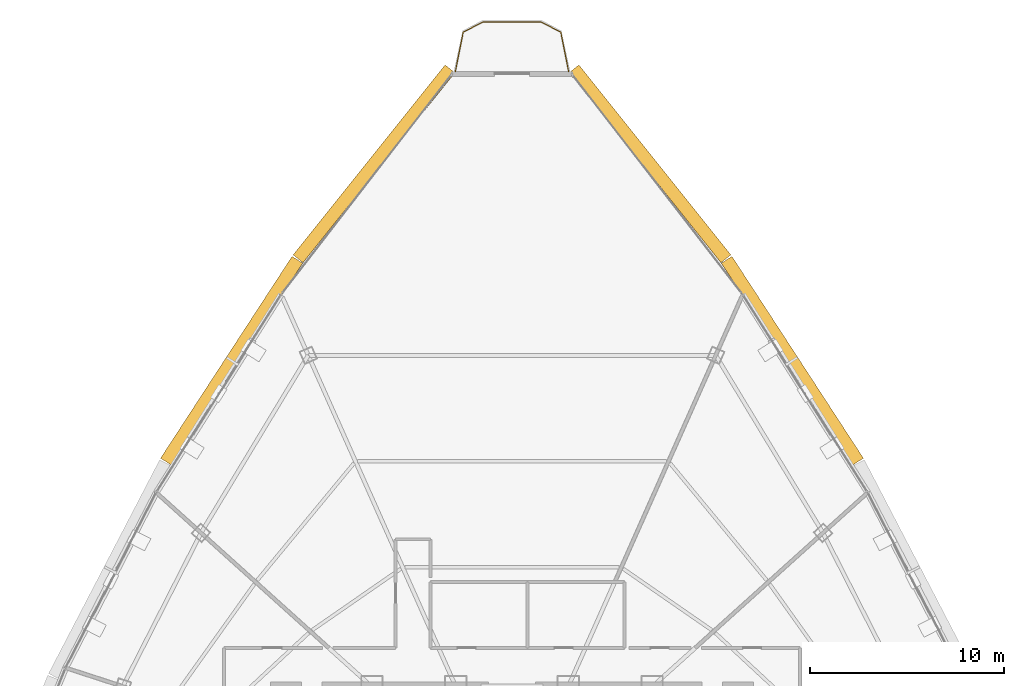
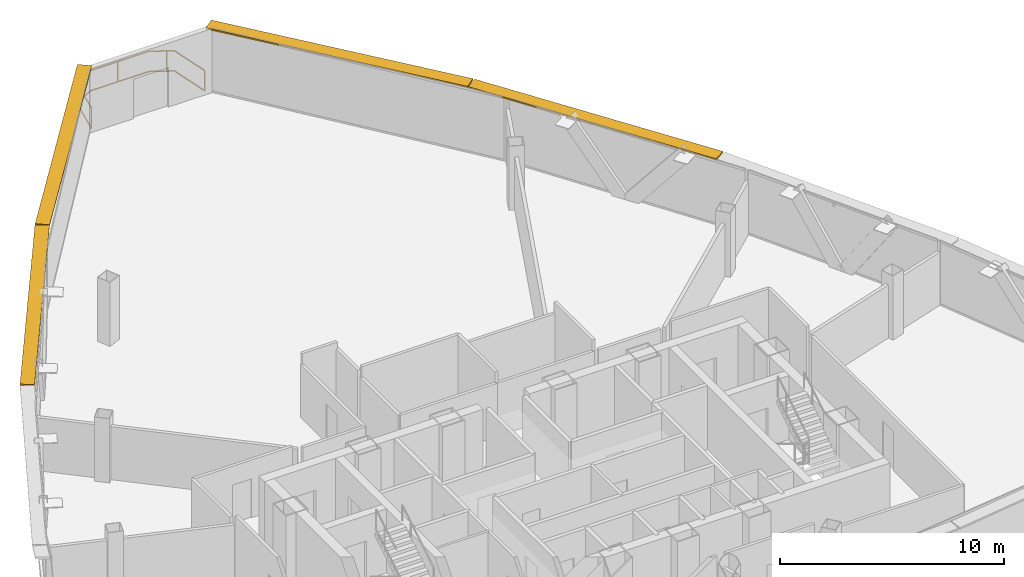
# One storey, part 27 of 27: 4 shading devices, 1 railing.
"""IFC4 building model written with IfcOpenShell, lengths in metres."""

from ifc_helpers import new_model, si_unit, direction, frame, origin, origin_2d, place, context, subcontext, project, spatial, rectangle, extrude, source, transform, mapped, material, layer, layer_set, type_object, element, save


model = new_model("IFC4")

# Units and contexts
model_context = context("Model", 3, precision=1e-05, world=origin(), true_north=direction((0.0, 1.0)))
body_context = subcontext(model_context, "Body", "Model", "MODEL_VIEW")
ifc_project = project(units=[si_unit("LENGTHUNIT", "METRE"), si_unit("AREAUNIT", "SQUARE_METRE"), si_unit("VOLUMEUNIT", "CUBIC_METRE"), si_unit("PLANEANGLEUNIT", "RADIAN"), si_unit("MASSUNIT", "GRAM", prefix="KILO"), si_unit("THERMODYNAMICTEMPERATUREUNIT", "KELVIN"), si_unit("POWERUNIT", "WATT")], contexts=[model_context])

# Site, building, storey
site_placement = place(None, origin())
site = spatial("IfcSite", under=ifc_project, at=site_placement, CompositionType="ELEMENT")
building_placement = place(site_placement, origin())
building = spatial("IfcBuilding", under=site, at=building_placement, Name="Yunzhuo Pagoda Commons", CompositionType="ELEMENT")
storey_placement = place(building_placement, frame((0.0, 0.0, 344.260009765625)))
storey = spatial("IfcBuildingStorey", under=building, at=storey_placement, Name="L86", CompositionType="ELEMENT", Elevation=344.260009765625)

# Railing
ifc_material = material(Name="Anodized aluminium 6063-T6", Category="aluminium")
railing_type = type_object("IfcRailingType", Name="RL-BAL1 Exterior Terrace & Balcony Balustrade 1150", PredefinedType="BALUSTRADE", material=ifc_material)
railing_placement = place(storey_placement, frame((50.91650390625, 71.9111328125, 0.0)))
element("IfcRailing", 1, at=railing_placement, inside=storey, type_object=railing_type, Name="L86 corner balcony balustrade V3", PredefinedType="BALUSTRADE", context=body_context, shape_type="SweptSolid", body=[
    extrude(rectangle(XDim=0.048095703125, YDim=0.048095703125, at=origin_2d()), frame((0.0, 0.0, 1.1259765625), z_axis=(-0.194314652384, 0.980939251875, 0.0), x_axis=(-0.980939251875, -0.194314652384, 0.0)), (0.0, 0.0, 1.0), 2.059326171875),
    extrude(rectangle(XDim=0.048095703125, YDim=0.048095703125, at=origin_2d()), frame((0.0, 0.0, 0.02392578125), z_axis=(-0.194314652384, 0.980939251875, 0.0), x_axis=(-0.980939251875, -0.194314652384, 0.0)), (0.0, 0.0, 1.0), 2.059326171875),
    extrude(rectangle(XDim=0.048095703125, YDim=0.048095703125, at=origin_2d()), frame((-0.400146484375, 2.02001953125, 1.1259765625), z_axis=(-0.886990324349, 0.461788008193, 0.0), x_axis=(-0.461788008193, -0.886990324349, 0.0)), (0.0, 0.0, 1.0), 1.147705078125),
    extrude(rectangle(XDim=0.048095703125, YDim=0.048095703125, at=origin_2d()), frame((-0.400146484375, 2.02001953125, 0.02392578125), z_axis=(-0.886990324349, 0.461788008193, 0.0), x_axis=(-0.461788008193, -0.886990324349, 0.0)), (0.0, 0.0, 1.0), 1.147705078125),
    extrude(rectangle(XDim=0.048095703125, YDim=0.048095703125, at=origin_2d()), frame((-1.418212890625, 2.550048828125, 1.1259765625), z_axis=(-1.0, 0.0, 0.0), x_axis=(0.0, -1.0, 0.0)), (0.0, 0.0, 1.0), 2.99658203125),
    extrude(rectangle(XDim=0.048095703125, YDim=0.048095703125, at=origin_2d()), frame((-1.418212890625, 2.550048828125, 0.02392578125), z_axis=(-1.0, 0.0, 0.0), x_axis=(0.0, -1.0, 0.0)), (0.0, 0.0, 1.0), 2.99658203125),
    extrude(rectangle(XDim=0.048095703125, YDim=0.048095703125, at=origin_2d()), frame((-4.414794921875, 2.550048828125, 1.1259765625), z_axis=(-0.886990324349, -0.461788008193, 0.0), x_axis=(0.461788008193, -0.886990324349, 0.0)), (0.0, 0.0, 1.0), 1.147705078125),
    extrude(rectangle(XDim=0.048095703125, YDim=0.048095703125, at=origin_2d()), frame((-4.414794921875, 2.550048828125, 0.02392578125), z_axis=(-0.886990324349, -0.461788008193, 0.0), x_axis=(0.461788008193, -0.886990324349, 0.0)), (0.0, 0.0, 1.0), 1.147705078125),
    extrude(rectangle(XDim=0.048095703125, YDim=0.048095703125, at=origin_2d()), frame((-5.432861328125, 2.02001953125, 1.1259765625), z_axis=(-0.194314652384, -0.980939251875, 0.0), x_axis=(0.980939251875, -0.194314652384, 0.0)), (0.0, 0.0, 1.0), 2.059326171875),
    extrude(rectangle(XDim=0.048095703125, YDim=0.048095703125, at=origin_2d()), frame((-5.432861328125, 2.02001953125, 0.02392578125), z_axis=(-0.194314652384, -0.980939251875, 0.0), x_axis=(0.980939251875, -0.194314652384, 0.0)), (0.0, 0.0, 1.0), 2.059326171875),
    extrude(rectangle(XDim=0.0419921875, YDim=0.0419921875, at=origin_2d()), origin(), (0.0, 0.0, 1.0), 1.101806640625),
    extrude(rectangle(XDim=0.0419921875, YDim=0.0419921875, at=origin_2d()), frame((-0.702392578125, 2.17724609375, 0.0)), (0.0, 0.0, 1.0), 1.101806640625),
    extrude(rectangle(XDim=0.0419921875, YDim=0.0419921875, at=origin_2d()), frame((-3.01123046875, 2.550048828125, 0.0)), (0.0, 0.0, 1.0), 1.101806640625),
    extrude(rectangle(XDim=0.0419921875, YDim=0.0419921875, at=origin_2d()), frame((-5.298583984375, 2.08984375, 0.0)), (0.0, 0.0, 1.0), 1.101806640625),
    extrude(rectangle(XDim=0.0419921875, YDim=0.0419921875, at=origin_2d()), frame((-5.8330078125, 0.0, 0.0)), (0.0, 0.0, 1.0), 1.101806640625),
])

# Shading devices
ifc_layer = layer(ifc_material, 0.080078125)
ifc_layer_set = layer_set([ifc_layer], Name="Anodized aluminium 6063-T6")
shading_device_type = type_object("IfcShadingDeviceType", Name="SH-SUN1 Pagoda Horizontal Sunshade Eave 650", PredefinedType="USERDEFINED", material=ifc_layer_set)
shared_shape_1 = source(origin(), body_context, "Body", "SweptSolid", [
    extrude(rectangle(XDim=12.415283203125, YDim=0.64990234375, at=origin_2d()), origin(), (0.0, 0.0, 1.0), 0.080078125),
])
for number, where, z_axis, x_axis, name in (
    (2, (62.449951171875, 57.003173828125, 3.409912109375), (0.0, 0.0, 1.0), (-0.545853380833, 0.837880711458, 0.0), "L86 horizontal pagoda sunshade eave F2.3"),
    (3, (33.550048828125, 57.003173828125, 3.409912109375), (0.0, 0.0, 1.0), (-0.545853380833, -0.837880711458, 0.0), "L86 horizontal pagoda sunshade eave F3.2"),
):
    element("IfcShadingDevice", number, at=place(storey_placement, frame(where, z_axis=z_axis, x_axis=x_axis)), inside=storey, type_object=shading_device_type, Name=name, ObjectType="SUNSHADE", PredefinedType="USERDEFINED", context=body_context, shape_type="MappedRepresentation", body=[
        mapped(shared_shape_1, transform((0.0, 0.0, 0.0), scale=1.0)),
    ])
shared_shape_2 = source(origin(), body_context, "Body", "SweptSolid", [
    extrude(rectangle(XDim=12.53466796875, YDim=0.64990234375, at=origin_2d()), origin(), (0.0, 0.0, 1.0), 0.080078125),
])
for number, where, z_axis, x_axis, name in (
    (4, (55.1103515625, 67.150634765625, 3.409912109375), (0.0, 0.0, 1.0), (-0.624520471688, 0.781008438138, 0.0), "L86 horizontal pagoda sunshade eave F2.4"),
    (5, (40.8896484375, 67.150634765625, 3.409912109375), (0.0, 0.0, 1.0), (-0.624520471688, -0.781008438138, 0.0), "L86 horizontal pagoda sunshade eave F3.1"),
):
    element("IfcShadingDevice", number, at=place(storey_placement, frame(where, z_axis=z_axis, x_axis=x_axis)), inside=storey, type_object=shading_device_type, Name=name, ObjectType="SUNSHADE", PredefinedType="USERDEFINED", context=body_context, shape_type="MappedRepresentation", body=[
        mapped(shared_shape_2, transform((0.0, 0.0, 0.0), scale=1.0)),
    ])

save(model, "model.ifc")
